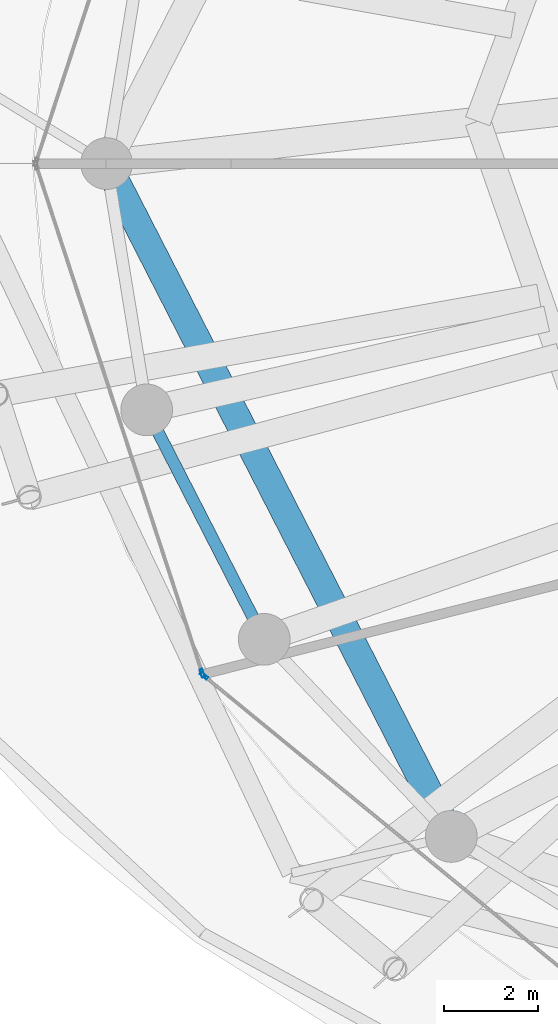
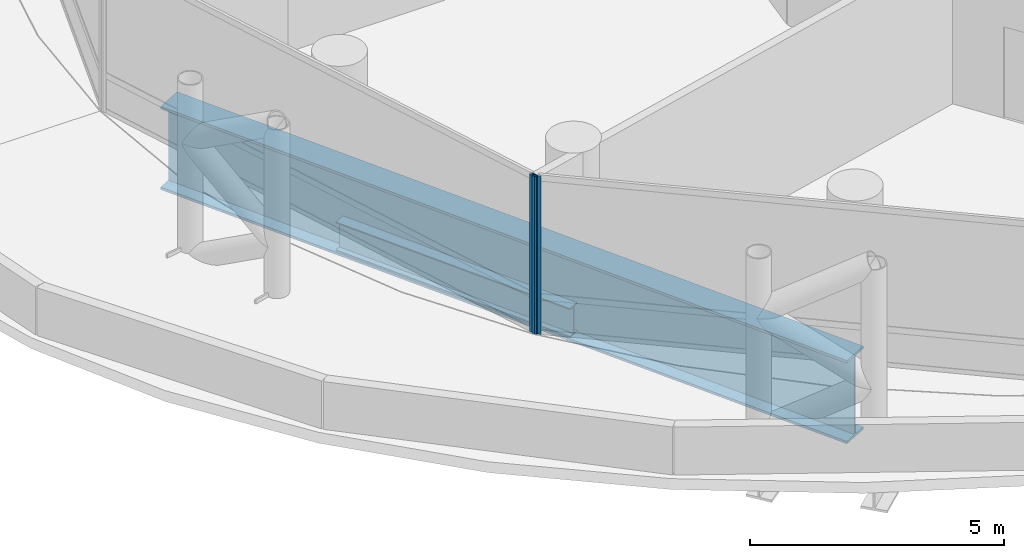
# One storey, part 2 of 37: 2 beams, 2 members, 2 elements without a shape of their own.
"""IFC4 building model written with IfcOpenShell, lengths in metres."""

from ifc_helpers import new_model, si_unit, direction, frame, origin, origin_2d, place, context, subcontext, project, spatial, hollow_rectangle, i_section, extrude, material, layer, layer_set, material_profile, profile_set, type_object, element, aggregate, save


model = new_model("IFC4")

# Units and contexts
model_context = context("Model", 3, precision=1e-05, world=origin(), true_north=direction((0.0, 1.0)))
body_context = subcontext(model_context, "Body", "Model", "MODEL_VIEW")
ifc_project = project(units=[si_unit("LENGTHUNIT", "METRE"), si_unit("AREAUNIT", "SQUARE_METRE"), si_unit("VOLUMEUNIT", "CUBIC_METRE"), si_unit("PLANEANGLEUNIT", "RADIAN"), si_unit("MASSUNIT", "GRAM", prefix="KILO")], contexts=[model_context])

# Site, building, storey
site_placement = place(None, origin())
site = spatial("IfcSite", under=ifc_project, at=site_placement, CompositionType="ELEMENT")
building_placement = place(site_placement, origin())
building = spatial("IfcBuilding", under=site, at=building_placement, Name="Nuhasar Tower", CompositionType="ELEMENT")
storey_placement = place(building_placement, frame((0.0, 0.0, 21.0)))
storey = spatial("IfcBuildingStorey", under=building, at=storey_placement, Name="L04", CompositionType="ELEMENT", Elevation=21.0)

# Beams
ifc_material_1 = material(Name="Steel S355", Category="steel")
ifc_material_profile_1 = material_profile(ifc_material_1, i_section(OverallWidth=0.256103515625, OverallDepth=0.693115234375, WebThickness=0.014404296875, FlangeThickness=0.023681640625, at=origin_2d()), Name="W27X114")
ifc_profile_set_1 = profile_set([ifc_material_profile_1], Name="Steel S355")
beam_type_1 = type_object("IfcBeamType", Name="BM-RING-W27X114", PredefinedType="SPANDREL", material=ifc_profile_set_1)
beam_1_placement = place(storey_placement, frame((14.803955078125, 21.55908203125, -0.60693359375), z_axis=(0.455930023905, -0.890015625314, 0.0), x_axis=(0.890015625314, 0.455930023905, 0.0)))
element("IfcBeam", 1, at=beam_1_placement, inside=storey, type_object=beam_type_1, Name="L04 Perimeter Ring Spandrel 14", PredefinedType="SPANDREL", context=body_context, shape_type="SweptSolid", body=[
    extrude(i_section(OverallWidth=0.256103515625, OverallDepth=0.693115234375, WebThickness=0.014404296875, FlangeThickness=0.023681640625, at=origin_2d()), origin(), (0.0, 0.0, 1.0), 5.487548828125),
])
ifc_material_2 = material(Name="Steel S460", Category="steel")
ifc_material_profile_2 = material_profile(ifc_material_2, i_section(OverallWidth=0.60009765625, OverallDepth=2.0, WebThickness=0.035888671875, FlangeThickness=0.06005859375, at=origin_2d()), Name="PG2000X600")
ifc_profile_set_2 = profile_set([ifc_material_profile_2], Name="Steel S460")
beam_type_2 = type_object("IfcBeamType", Name="BM-XFER-PG2000", PredefinedType="USERDEFINED", material=ifc_profile_set_2)
beam_2_placement = place(storey_placement, frame((13.949951171875, 26.800048828125, -1.260009765625), z_axis=(0.456023040981, -0.88996796914, 0.0), x_axis=(0.88996796914, 0.456023040981, 0.0)))
element("IfcBeam", 2, at=beam_2_placement, inside=storey, type_object=beam_type_2, Name="L04 Podium-to-Tower Transfer Chord 08", ObjectType="GIRDER", PredefinedType="USERDEFINED", context=body_context, shape_type="SweptSolid", body=[
    extrude(i_section(OverallWidth=0.60009765625, OverallDepth=2.0, WebThickness=0.035888671875, FlangeThickness=0.06005859375, at=origin_2d()), origin(), (0.0, 0.0, 1.0), 16.08935546875),
])

# Curtain wall, member
ifc_material_3 = material(Name="Aluminium 6063-T6", Category="aluminium")
ifc_layer = layer(ifc_material_3, 0.199951171875)
ifc_layer_set = layer_set([ifc_layer], Name="Aluminium 6063-T6")
curtain_wall_type = type_object("IfcCurtainWallType", Name="CW-Z1-OFF", PredefinedType="NOTDEFINED", material=ifc_layer_set)
curtain_wall_1_placement = place(storey_placement, origin())
curtain_wall_1 = element("IfcCurtainWall", 3, at=curtain_wall_1_placement, inside=storey, type_object=curtain_wall_type, Name="L04 Unitised Curtain Wall 07", PredefinedType="NOTDEFINED")
ifc_material_profile_3 = material_profile(ifc_material_3, hollow_rectangle(XDim=0.06494140625, YDim=0.179931640625, WallThickness=0.0048828125, at=origin_2d()), Name="CWM-2")
ifc_profile_set_3 = profile_set([ifc_material_profile_3], Name="Aluminium 6063-T6")
member_type = type_object("IfcMemberType", Name="CW-MUL-S2", PredefinedType="MULLION", material=ifc_profile_set_3)
member_1_placement = place(storey_placement, frame((15.98779296875, 15.950927734375, 0.0), z_axis=(0.0, 0.0, 1.0), x_axis=(0.950467534571, 0.310823849997, 0.0)))
member_1 = element("IfcMember", 4, at=member_1_placement, type_object=member_type, Name="CW-Z1 mullion 2", PredefinedType="MULLION", context=body_context, shape_type="SweptSolid", body=[
    extrude(hollow_rectangle(XDim=0.06494140625, YDim=0.179931640625, WallThickness=0.0048828125, at=origin_2d()), origin(), (0.0, 0.0, 1.0), 3.7900390625),
])
aggregate(curtain_wall_1, [member_1])

curtain_wall_2_placement = place(storey_placement, origin())
curtain_wall_2 = element("IfcCurtainWall", 5, at=curtain_wall_2_placement, inside=storey, type_object=curtain_wall_type, Name="L04 Unitised Curtain Wall 08", PredefinedType="NOTDEFINED")
member_2_placement = place(storey_placement, frame((16.023193359375, 15.8994140625, 0.0), z_axis=(0.0, 0.0, 1.0), x_axis=(0.633744593376, 0.773542364946, 0.0)))
member_2 = element("IfcMember", 6, at=member_2_placement, type_object=member_type, Name="CW-Z1 mullion 1", PredefinedType="MULLION", context=body_context, shape_type="SweptSolid", body=[
    extrude(hollow_rectangle(XDim=0.06494140625, YDim=0.179931640625, WallThickness=0.0048828125, at=origin_2d()), origin(), (0.0, 0.0, 1.0), 3.7900390625),
])
aggregate(curtain_wall_2, [member_2])

save(model, "model.ifc")
